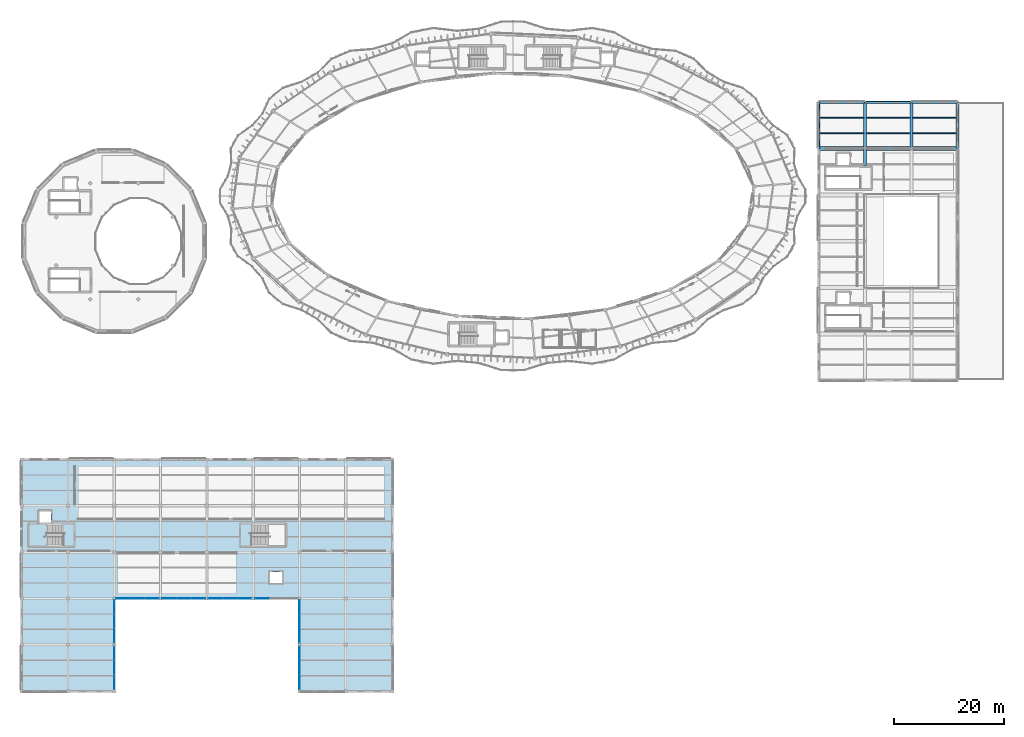
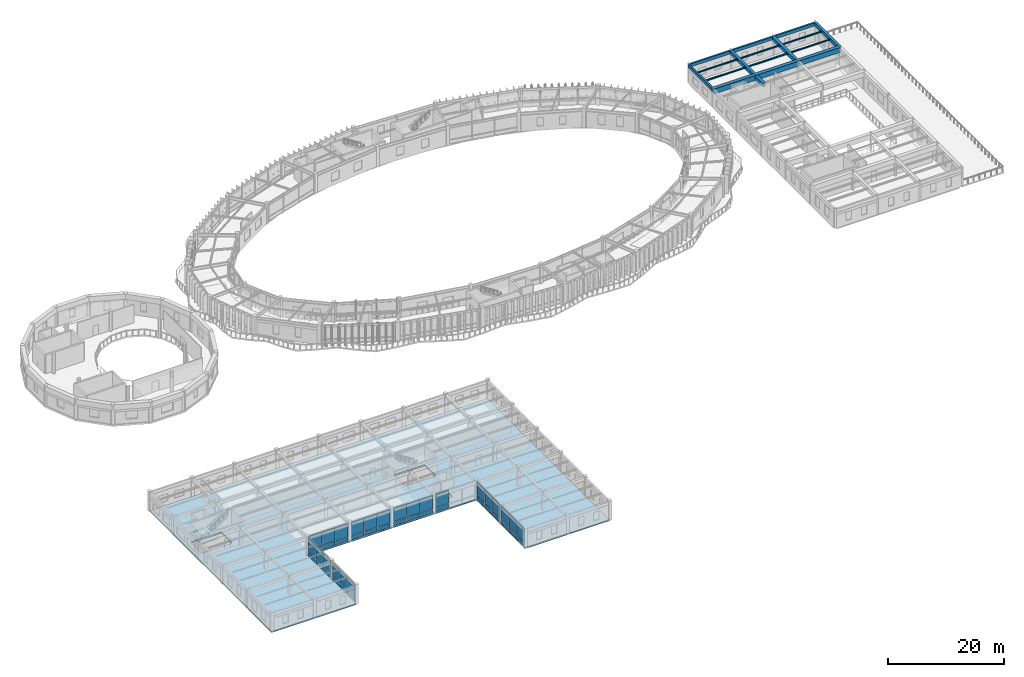
# One storey, part 83 of 114: 44 plates, 17 beams, 2 slabs, 9 elements without a shape of their own.
"""IFC4 building model written with IfcOpenShell, lengths in metres."""

from ifc_helpers import new_model, si_unit, direction, frame, origin, origin_2d, place, context, subcontext, project, spatial, polyline, rectangle, i_section, outline, extrude, material, layer, layer_set, material_profile, profile_set, type_object, element, aggregate, save


model = new_model("IFC4")

# Units and contexts
model_context = context("Model", 3, precision=1e-05, world=origin(), true_north=direction((0.0, 1.0)))
body_context = subcontext(model_context, "Body", "Model", "MODEL_VIEW")
ifc_project = project(units=[si_unit("LENGTHUNIT", "METRE"), si_unit("AREAUNIT", "SQUARE_METRE"), si_unit("VOLUMEUNIT", "CUBIC_METRE"), si_unit("PLANEANGLEUNIT", "RADIAN"), si_unit("MASSUNIT", "GRAM", prefix="KILO"), si_unit("THERMODYNAMICTEMPERATUREUNIT", "KELVIN"), si_unit("POWERUNIT", "WATT")], contexts=[model_context])

# Site, building, storey
site_placement = place(None, origin())
site = spatial("IfcSite", under=ifc_project, at=site_placement, CompositionType="ELEMENT")
building_placement = place(site_placement, origin())
building = spatial("IfcBuilding", under=site, at=building_placement, Name="Darbajah Civic Hall", CompositionType="ELEMENT")
storey_placement = place(building_placement, frame((0.0, 0.0, 13.800048828125)))
storey = spatial("IfcBuildingStorey", under=building, at=storey_placement, Name="L03", CompositionType="ELEMENT", Elevation=13.800048828125)

# Beams
ifc_material_1 = material(Name="Concrete C45/55", Category="concrete")
ifc_material_profile_1 = material_profile(ifc_material_1, rectangle(XDim=0.550048828125, YDim=0.75, at=origin_2d()), Name="RC BEAM 550x750")
ifc_profile_set_1 = profile_set([ifc_material_profile_1], Name="Concrete C45/55")
beam_type_1 = type_object("IfcBeamType", Name="RC BEAM 550x750", PredefinedType="BEAM", material=ifc_profile_set_1)
beam_placement = place(storey_placement, frame((153.0, 95.340087890625, 3.554931640625), z_axis=(0.0, 1.0, 0.0), x_axis=(-1.0, 0.0, 0.0)))
element("IfcBeam", 1, at=beam_placement, inside=storey, type_object=beam_type_1, Name="L03 beam BM-5575", PredefinedType="BEAM", context=body_context, shape_type="SweptSolid", body=[
    extrude(rectangle(XDim=0.550048828125, YDim=0.75, at=origin_2d()), origin(), (0.0, 0.0, 1.0), 2.97998046875),
])
for number, where, z_axis, x_axis, name in (
    (2, (153.0, 98.47998046875, 3.554931640625), (0.0, 1.0, 0.0), (-1.0, 0.0, 0.0), "L03 beam BM-5575"),
    (3, (161.39990234375, 98.47998046875, 3.554931640625), (0.0, 1.0, 0.0), (-1.0, 0.0, 0.0), "L03 beam BM-5575"),
    (4, (169.800048828125, 98.47998046875, 3.554931640625), (0.0, 1.0, 0.0), (-1.0, 0.0, 0.0), "L03 beam BM-5575"),
):
    element("IfcBeam", number, at=place(storey_placement, frame(where, z_axis=z_axis, x_axis=x_axis)), inside=storey, type_object=beam_type_1, Name=name, PredefinedType="BEAM", context=body_context, shape_type="SweptSolid", body=[
        extrude(rectangle(XDim=0.550048828125, YDim=0.75, at=origin_2d()), origin(), (0.0, 0.0, 1.0), 8.239990234375),
    ])
ifc_material_2 = material(Name="Concrete C50/60", Category="concrete")
ifc_material_profile_2 = material_profile(ifc_material_2, rectangle(XDim=0.699951171875, YDim=1.050048828125, at=origin_2d()), Name="RC GIRDER 700x1050")
ifc_profile_set_2 = profile_set([ifc_material_profile_2], Name="Concrete C50/60")
beam_type_2 = type_object("IfcBeamType", Name="RC GIRDER 700x1050", PredefinedType="BEAM", material=ifc_profile_set_2)
for number, where, z_axis, x_axis, name in (
    (5, (144.679931640625, 98.39990234375, 3.405029296875), (1.0, 0.0, 0.0), (0.0, 1.0, 0.0), "L03 beam BG-7010"),
    (6, (153.080078125, 98.39990234375, 3.405029296875), (1.0, 0.0, 0.0), (0.0, 1.0, 0.0), "L03 beam BG-7010"),
    (7, (161.47998046875, 98.39990234375, 3.405029296875), (1.0, 0.0, 0.0), (0.0, 1.0, 0.0), "L03 beam BG-7010"),
):
    element("IfcBeam", number, at=place(storey_placement, frame(where, z_axis=z_axis, x_axis=x_axis)), inside=storey, type_object=beam_type_2, Name=name, PredefinedType="BEAM", context=body_context, shape_type="SweptSolid", body=[
        extrude(rectangle(XDim=0.699951171875, YDim=1.050048828125, at=origin_2d()), origin(), (0.0, 0.0, 1.0), 8.239990234375),
    ])
ifc_material_profile_3 = material_profile(ifc_material_1, rectangle(XDim=0.35009765625, YDim=0.64990234375, at=origin_2d()), Name="RC SPANDREL 350x650")
ifc_profile_set_3 = profile_set([ifc_material_profile_3], Name="Concrete C45/55")
beam_type_3 = type_object("IfcBeamType", Name="RC SPANDREL 350x650", PredefinedType="SPANDREL", material=ifc_profile_set_3)
for number, where, z_axis, x_axis, name in (
    (8, (144.679931640625, 106.800048828125, 3.60498046875), (1.0, 0.0, 0.0), (0.0, 1.0, 0.0), "L03 beam SP-3565"),
    (9, (153.080078125, 106.800048828125, 3.60498046875), (1.0, 0.0, 0.0), (0.0, 1.0, 0.0), "L03 beam SP-3565"),
    (10, (161.47998046875, 106.800048828125, 3.60498046875), (1.0, 0.0, 0.0), (0.0, 1.0, 0.0), "L03 beam SP-3565"),
    (11, (144.60009765625, 98.47998046875, 3.60498046875), (0.0, 1.0, 0.0), (-1.0, 0.0, 0.0), "L03 beam SP-3565"),
):
    element("IfcBeam", number, at=place(storey_placement, frame(where, z_axis=z_axis, x_axis=x_axis)), inside=storey, type_object=beam_type_3, Name=name, PredefinedType="SPANDREL", context=body_context, shape_type="SweptSolid", body=[
        extrude(rectangle(XDim=0.35009765625, YDim=0.64990234375, at=origin_2d()), origin(), (0.0, 0.0, 1.0), 8.239990234375),
    ])
ifc_material_3 = material(Name="Steel S355JR", Category="steel")
ifc_material_profile_4 = material_profile(ifc_material_3, i_section(OverallWidth=0.165771484375, OverallDepth=0.306640625, WebThickness=0.006591796875, FlangeThickness=0.01171875, FilletRadius=0.0087890625, at=origin_2d()), Name="UB 305x165x46")
ifc_profile_set_4 = profile_set([ifc_material_profile_4], Name="Steel S355JR")
beam_type_4 = type_object("IfcBeamType", Name="UB 305x165x46", PredefinedType="JOIST", material=ifc_profile_set_4)
for number, where, z_axis, x_axis, name in (
    (12, (144.77490234375, 101.199951171875, 3.776611328125), (1.0, 0.0, 0.0), (0.0, 1.0, 0.0), "L03 beam SJ-305"),
    (13, (144.77490234375, 104.0, 3.776611328125), (1.0, 0.0, 0.0), (0.0, 1.0, 0.0), "L03 beam SJ-305"),
):
    element("IfcBeam", number, at=place(storey_placement, frame(where, z_axis=z_axis, x_axis=x_axis)), inside=storey, type_object=beam_type_4, Name=name, PredefinedType="JOIST", context=body_context, shape_type="SweptSolid", body=[
        extrude(i_section(OverallWidth=0.165771484375, OverallDepth=0.306640625, WebThickness=0.006591796875, FlangeThickness=0.01171875, FilletRadius=0.0087890625, at=origin_2d()), origin(), (0.0, 0.0, 1.0), 7.9501953125),
    ])
for number, where, z_axis, x_axis, name in (
    (14, (153.27490234375, 101.199951171875, 3.776611328125), (1.0, 0.0, 0.0), (0.0, 1.0, 0.0), "L03 beam SJ-305"),
    (15, (153.27490234375, 104.0, 3.776611328125), (1.0, 0.0, 0.0), (0.0, 1.0, 0.0), "L03 beam SJ-305"),
):
    element("IfcBeam", number, at=place(storey_placement, frame(where, z_axis=z_axis, x_axis=x_axis)), inside=storey, type_object=beam_type_4, Name=name, PredefinedType="JOIST", context=body_context, shape_type="SweptSolid", body=[
        extrude(i_section(OverallWidth=0.165771484375, OverallDepth=0.306640625, WebThickness=0.006591796875, FlangeThickness=0.01171875, FilletRadius=0.0087890625, at=origin_2d()), origin(), (0.0, 0.0, 1.0), 7.85009765625),
    ])
for number, where, z_axis, x_axis, name in (
    (16, (161.675048828125, 101.199951171875, 3.776611328125), (1.0, 0.0, 0.0), (0.0, 1.0, 0.0), "L03 beam SJ-305"),
    (17, (161.675048828125, 104.0, 3.776611328125), (1.0, 0.0, 0.0), (0.0, 1.0, 0.0), "L03 beam SJ-305"),
):
    element("IfcBeam", number, at=place(storey_placement, frame(where, z_axis=z_axis, x_axis=x_axis)), inside=storey, type_object=beam_type_4, Name=name, PredefinedType="JOIST", context=body_context, shape_type="SweptSolid", body=[
        extrude(i_section(OverallWidth=0.165771484375, OverallDepth=0.306640625, WebThickness=0.006591796875, FlangeThickness=0.01171875, FilletRadius=0.0087890625, at=origin_2d()), origin(), (0.0, 0.0, 1.0), 7.849853515625),
    ])

# Curtain wall, plates
ifc_material_4 = material(Name="Anodised Bronze Aluminium and Low-E Glazing", Category="aluminium")
curtain_wall_type = type_object("IfcCurtainWallType", Name="Unitised Curtain Wall CW-100 7800x3950", PredefinedType="USERDEFINED", material=ifc_material_4)
curtain_wall_1_placement = place(storey_placement, origin())
curtain_wall_1 = element("IfcCurtainWall", 18, at=curtain_wall_1_placement, inside=storey, type_object=curtain_wall_type, Name="L03 unitised curtain wall CW-V5-L03-S1-B0", ObjectType="UNITISED CURTAIN WALL", PredefinedType="USERDEFINED")
ifc_material_5 = material(Name="Low-E Solar Control Double Glazing", Category="glass")
ifc_layer_1 = layer(ifc_material_5, 0.031982421875, Name="Low-E Solar Control Double Glazing")
ifc_layer_set_1 = layer_set([ifc_layer_1], Name="Low-E Solar Control Double Glazing")
plate_type = type_object("IfcPlateType", Name="Solar Double Glazing 32mm", PredefinedType="CURTAIN_PANEL", material=ifc_layer_set_1)
plate_1_placement = place(storey_placement, frame((16.800048828125, 1.601318359375, 0.119873046875), z_axis=(0.0, 0.0, 1.0), x_axis=(0.0, 1.0, 0.0)))
plate_1 = element("IfcPlate", 19, at=plate_1_placement, type_object=plate_type, Name="CW-V5-L03-S1-B0 glazed panel 1.1", PredefinedType="CURTAIN_PANEL", context=body_context, shape_type="SweptSolid", body=[
    extrude(rectangle(XDim=2.52880859375, YDim=0.031982421875, at=origin_2d()), origin(), (0.0, 0.0, 1.0), 0.77001953125),
])
plate_2_placement = place(storey_placement, frame((16.800048828125, 1.601318359375, 1.010009765625), z_axis=(0.0, 0.0, 1.0), x_axis=(0.0, 1.0, 0.0)))
plate_2 = element("IfcPlate", 20, at=plate_2_placement, type_object=plate_type, Name="CW-V5-L03-S1-B0 glazed panel 1.2", PredefinedType="CURTAIN_PANEL", context=body_context, shape_type="SweptSolid", body=[
    extrude(rectangle(XDim=2.52880859375, YDim=0.031982421875, at=origin_2d()), origin(), (0.0, 0.0, 1.0), 2.81005859375),
])
plate_3_placement = place(storey_placement, frame((16.800048828125, 4.199951171875, 0.119873046875), z_axis=(0.0, 0.0, 1.0), x_axis=(0.0, 1.0, 0.0)))
plate_3 = element("IfcPlate", 21, at=plate_3_placement, type_object=plate_type, Name="CW-V5-L03-S1-B0 glazed panel 2.1", PredefinedType="CURTAIN_PANEL", context=body_context, shape_type="SweptSolid", body=[
    extrude(rectangle(XDim=2.52880859375, YDim=0.031982421875, at=origin_2d()), origin(), (0.0, 0.0, 1.0), 0.77001953125),
])
plate_4_placement = place(storey_placement, frame((16.800048828125, 4.199951171875, 1.010009765625), z_axis=(0.0, 0.0, 1.0), x_axis=(0.0, 1.0, 0.0)))
plate_4 = element("IfcPlate", 22, at=plate_4_placement, type_object=plate_type, Name="CW-V5-L03-S1-B0 glazed panel 2.2", PredefinedType="CURTAIN_PANEL", context=body_context, shape_type="SweptSolid", body=[
    extrude(rectangle(XDim=2.52880859375, YDim=0.031982421875, at=origin_2d()), origin(), (0.0, 0.0, 1.0), 2.81005859375),
])
plate_5_placement = place(storey_placement, frame((16.800048828125, 6.798583984375, 0.119873046875), z_axis=(0.0, 0.0, 1.0), x_axis=(0.0, 1.0, 0.0)))
plate_5 = element("IfcPlate", 23, at=plate_5_placement, type_object=plate_type, Name="CW-V5-L03-S1-B0 glazed panel 3.1", PredefinedType="CURTAIN_PANEL", context=body_context, shape_type="SweptSolid", body=[
    extrude(rectangle(XDim=2.52880859375, YDim=0.031982421875, at=origin_2d()), origin(), (0.0, 0.0, 1.0), 0.77001953125),
])
plate_6_placement = place(storey_placement, frame((16.800048828125, 6.798583984375, 1.010009765625), z_axis=(0.0, 0.0, 1.0), x_axis=(0.0, 1.0, 0.0)))
plate_6 = element("IfcPlate", 24, at=plate_6_placement, type_object=plate_type, Name="CW-V5-L03-S1-B0 glazed panel 3.2", PredefinedType="CURTAIN_PANEL", context=body_context, shape_type="SweptSolid", body=[
    extrude(rectangle(XDim=2.52880859375, YDim=0.031982421875, at=origin_2d()), origin(), (0.0, 0.0, 1.0), 2.81005859375),
])
aggregate(curtain_wall_1, [plate_1, plate_2, plate_3, plate_4, plate_5, plate_6])

curtain_wall_2_placement = place(storey_placement, origin())
curtain_wall_2 = element("IfcCurtainWall", 25, at=curtain_wall_2_placement, inside=storey, type_object=curtain_wall_type, Name="L03 unitised curtain wall CW-V5-L03-S1-B1", ObjectType="UNITISED CURTAIN WALL", PredefinedType="USERDEFINED")
plate_7_placement = place(storey_placement, frame((16.800048828125, 10.00146484375, 0.119873046875), z_axis=(0.0, 0.0, 1.0), x_axis=(0.0, 1.0, 0.0)))
plate_7 = element("IfcPlate", 26, at=plate_7_placement, type_object=plate_type, Name="CW-V5-L03-S1-B1 glazed panel 1.1", PredefinedType="CURTAIN_PANEL", context=body_context, shape_type="SweptSolid", body=[
    extrude(rectangle(XDim=2.52880859375, YDim=0.031982421875, at=origin_2d()), origin(), (0.0, 0.0, 1.0), 0.77001953125),
])
plate_8_placement = place(storey_placement, frame((16.800048828125, 10.00146484375, 1.010009765625), z_axis=(0.0, 0.0, 1.0), x_axis=(0.0, 1.0, 0.0)))
plate_8 = element("IfcPlate", 27, at=plate_8_placement, type_object=plate_type, Name="CW-V5-L03-S1-B1 glazed panel 1.2", PredefinedType="CURTAIN_PANEL", context=body_context, shape_type="SweptSolid", body=[
    extrude(rectangle(XDim=2.52880859375, YDim=0.031982421875, at=origin_2d()), origin(), (0.0, 0.0, 1.0), 2.81005859375),
])
plate_9_placement = place(storey_placement, frame((16.800048828125, 12.60009765625, 0.119873046875), z_axis=(0.0, 0.0, 1.0), x_axis=(0.0, 1.0, 0.0)))
plate_9 = element("IfcPlate", 28, at=plate_9_placement, type_object=plate_type, Name="CW-V5-L03-S1-B1 glazed panel 2.1", PredefinedType="CURTAIN_PANEL", context=body_context, shape_type="SweptSolid", body=[
    extrude(rectangle(XDim=2.52880859375, YDim=0.031982421875, at=origin_2d()), origin(), (0.0, 0.0, 1.0), 0.77001953125),
])
plate_10_placement = place(storey_placement, frame((16.800048828125, 12.60009765625, 1.010009765625), z_axis=(0.0, 0.0, 1.0), x_axis=(0.0, 1.0, 0.0)))
plate_10 = element("IfcPlate", 29, at=plate_10_placement, type_object=plate_type, Name="CW-V5-L03-S1-B1 glazed panel 2.2", PredefinedType="CURTAIN_PANEL", context=body_context, shape_type="SweptSolid", body=[
    extrude(rectangle(XDim=2.52880859375, YDim=0.031982421875, at=origin_2d()), origin(), (0.0, 0.0, 1.0), 2.81005859375),
])
plate_11_placement = place(storey_placement, frame((16.800048828125, 15.19873046875, 0.119873046875), z_axis=(0.0, 0.0, 1.0), x_axis=(0.0, 1.0, 0.0)))
plate_11 = element("IfcPlate", 30, at=plate_11_placement, type_object=plate_type, Name="CW-V5-L03-S1-B1 glazed panel 3.1", PredefinedType="CURTAIN_PANEL", context=body_context, shape_type="SweptSolid", body=[
    extrude(rectangle(XDim=2.52880859375, YDim=0.031982421875, at=origin_2d()), origin(), (0.0, 0.0, 1.0), 0.77001953125),
])
plate_12_placement = place(storey_placement, frame((16.800048828125, 15.19873046875, 1.010009765625), z_axis=(0.0, 0.0, 1.0), x_axis=(0.0, 1.0, 0.0)))
plate_12 = element("IfcPlate", 31, at=plate_12_placement, type_object=plate_type, Name="CW-V5-L03-S1-B1 glazed panel 3.2", PredefinedType="CURTAIN_PANEL", context=body_context, shape_type="SweptSolid", body=[
    extrude(rectangle(XDim=2.52880859375, YDim=0.031982421875, at=origin_2d()), origin(), (0.0, 0.0, 1.0), 2.81005859375),
])
aggregate(curtain_wall_2, [plate_7, plate_8, plate_9, plate_10, plate_11, plate_12])

curtain_wall_3_placement = place(storey_placement, origin())
curtain_wall_3 = element("IfcCurtainWall", 32, at=curtain_wall_3_placement, inside=storey, type_object=curtain_wall_type, Name="L03 unitised curtain wall CW-V5-L03-S2-B0", ObjectType="UNITISED CURTAIN WALL", PredefinedType="USERDEFINED")
plate_13_placement = place(storey_placement, frame((18.4013671875, 16.800048828125, 0.119873046875), z_axis=(0.0, 0.0, 1.0), x_axis=(1.0, 0.0, 0.0)))
plate_13 = element("IfcPlate", 33, at=plate_13_placement, type_object=plate_type, Name="CW-V5-L03-S2-B0 glazed panel 1.1", PredefinedType="CURTAIN_PANEL", context=body_context, shape_type="SweptSolid", body=[
    extrude(rectangle(XDim=2.52880859375, YDim=0.031982421875, at=origin_2d()), origin(), (0.0, 0.0, 1.0), 0.77001953125),
])
plate_14_placement = place(storey_placement, frame((18.4013671875, 16.800048828125, 1.010009765625), z_axis=(0.0, 0.0, 1.0), x_axis=(1.0, 0.0, 0.0)))
plate_14 = element("IfcPlate", 34, at=plate_14_placement, type_object=plate_type, Name="CW-V5-L03-S2-B0 glazed panel 1.2", PredefinedType="CURTAIN_PANEL", context=body_context, shape_type="SweptSolid", body=[
    extrude(rectangle(XDim=2.52880859375, YDim=0.031982421875, at=origin_2d()), origin(), (0.0, 0.0, 1.0), 2.81005859375),
])
plate_15_placement = place(storey_placement, frame((21.0, 16.800048828125, 0.119873046875), z_axis=(0.0, 0.0, 1.0), x_axis=(1.0, 0.0, 0.0)))
plate_15 = element("IfcPlate", 35, at=plate_15_placement, type_object=plate_type, Name="CW-V5-L03-S2-B0 glazed panel 2.1", PredefinedType="CURTAIN_PANEL", context=body_context, shape_type="SweptSolid", body=[
    extrude(rectangle(XDim=2.52880859375, YDim=0.031982421875, at=origin_2d()), origin(), (0.0, 0.0, 1.0), 0.77001953125),
])
plate_16_placement = place(storey_placement, frame((21.0, 16.800048828125, 1.010009765625), z_axis=(0.0, 0.0, 1.0), x_axis=(1.0, 0.0, 0.0)))
plate_16 = element("IfcPlate", 36, at=plate_16_placement, type_object=plate_type, Name="CW-V5-L03-S2-B0 glazed panel 2.2", PredefinedType="CURTAIN_PANEL", context=body_context, shape_type="SweptSolid", body=[
    extrude(rectangle(XDim=2.52880859375, YDim=0.031982421875, at=origin_2d()), origin(), (0.0, 0.0, 1.0), 2.81005859375),
])
plate_17_placement = place(storey_placement, frame((23.5986328125, 16.800048828125, 0.119873046875), z_axis=(0.0, 0.0, 1.0), x_axis=(1.0, 0.0, 0.0)))
plate_17 = element("IfcPlate", 37, at=plate_17_placement, type_object=plate_type, Name="CW-V5-L03-S2-B0 glazed panel 3.1", PredefinedType="CURTAIN_PANEL", context=body_context, shape_type="SweptSolid", body=[
    extrude(rectangle(XDim=2.52880859375, YDim=0.031982421875, at=origin_2d()), origin(), (0.0, 0.0, 1.0), 0.77001953125),
])
plate_18_placement = place(storey_placement, frame((23.5986328125, 16.800048828125, 1.010009765625), z_axis=(0.0, 0.0, 1.0), x_axis=(1.0, 0.0, 0.0)))
plate_18 = element("IfcPlate", 38, at=plate_18_placement, type_object=plate_type, Name="CW-V5-L03-S2-B0 glazed panel 3.2", PredefinedType="CURTAIN_PANEL", context=body_context, shape_type="SweptSolid", body=[
    extrude(rectangle(XDim=2.52880859375, YDim=0.031982421875, at=origin_2d()), origin(), (0.0, 0.0, 1.0), 2.81005859375),
])
aggregate(curtain_wall_3, [plate_13, plate_14, plate_15, plate_16, plate_17, plate_18])

curtain_wall_4_placement = place(storey_placement, origin())
curtain_wall_4 = element("IfcCurtainWall", 39, at=curtain_wall_4_placement, inside=storey, type_object=curtain_wall_type, Name="L03 unitised curtain wall CW-V5-L03-S2-B1", ObjectType="UNITISED CURTAIN WALL", PredefinedType="USERDEFINED")
plate_19_placement = place(storey_placement, frame((26.80126953125, 16.800048828125, 0.119873046875), z_axis=(0.0, 0.0, 1.0), x_axis=(1.0, 0.0, 0.0)))
plate_19 = element("IfcPlate", 40, at=plate_19_placement, type_object=plate_type, Name="CW-V5-L03-S2-B1 glazed panel 1.1", PredefinedType="CURTAIN_PANEL", context=body_context, shape_type="SweptSolid", body=[
    extrude(rectangle(XDim=2.52880859375, YDim=0.031982421875, at=origin_2d()), origin(), (0.0, 0.0, 1.0), 0.77001953125),
])
plate_20_placement = place(storey_placement, frame((26.80126953125, 16.800048828125, 1.010009765625), z_axis=(0.0, 0.0, 1.0), x_axis=(1.0, 0.0, 0.0)))
plate_20 = element("IfcPlate", 41, at=plate_20_placement, type_object=plate_type, Name="CW-V5-L03-S2-B1 glazed panel 1.2", PredefinedType="CURTAIN_PANEL", context=body_context, shape_type="SweptSolid", body=[
    extrude(rectangle(XDim=2.52880859375, YDim=0.031982421875, at=origin_2d()), origin(), (0.0, 0.0, 1.0), 2.81005859375),
])
plate_21_placement = place(storey_placement, frame((29.39990234375, 16.800048828125, 0.119873046875), z_axis=(0.0, 0.0, 1.0), x_axis=(1.0, 0.0, 0.0)))
plate_21 = element("IfcPlate", 42, at=plate_21_placement, type_object=plate_type, Name="CW-V5-L03-S2-B1 glazed panel 2.1", PredefinedType="CURTAIN_PANEL", context=body_context, shape_type="SweptSolid", body=[
    extrude(rectangle(XDim=2.52880859375, YDim=0.031982421875, at=origin_2d()), origin(), (0.0, 0.0, 1.0), 0.77001953125),
])
plate_22_placement = place(storey_placement, frame((29.39990234375, 16.800048828125, 1.010009765625), z_axis=(0.0, 0.0, 1.0), x_axis=(1.0, 0.0, 0.0)))
plate_22 = element("IfcPlate", 43, at=plate_22_placement, type_object=plate_type, Name="CW-V5-L03-S2-B1 glazed panel 2.2", PredefinedType="CURTAIN_PANEL", context=body_context, shape_type="SweptSolid", body=[
    extrude(rectangle(XDim=2.52880859375, YDim=0.031982421875, at=origin_2d()), origin(), (0.0, 0.0, 1.0), 2.81005859375),
])
plate_23_placement = place(storey_placement, frame((31.99853515625, 16.800048828125, 0.119873046875), z_axis=(0.0, 0.0, 1.0), x_axis=(1.0, 0.0, 0.0)))
plate_23 = element("IfcPlate", 44, at=plate_23_placement, type_object=plate_type, Name="CW-V5-L03-S2-B1 glazed panel 3.1", PredefinedType="CURTAIN_PANEL", context=body_context, shape_type="SweptSolid", body=[
    extrude(rectangle(XDim=2.52880859375, YDim=0.031982421875, at=origin_2d()), origin(), (0.0, 0.0, 1.0), 0.77001953125),
])
plate_24_placement = place(storey_placement, frame((31.99853515625, 16.800048828125, 1.010009765625), z_axis=(0.0, 0.0, 1.0), x_axis=(1.0, 0.0, 0.0)))
plate_24 = element("IfcPlate", 45, at=plate_24_placement, type_object=plate_type, Name="CW-V5-L03-S2-B1 glazed panel 3.2", PredefinedType="CURTAIN_PANEL", context=body_context, shape_type="SweptSolid", body=[
    extrude(rectangle(XDim=2.52880859375, YDim=0.031982421875, at=origin_2d()), origin(), (0.0, 0.0, 1.0), 2.81005859375),
])
aggregate(curtain_wall_4, [plate_19, plate_20, plate_21, plate_22, plate_23, plate_24])

curtain_wall_5_placement = place(storey_placement, origin())
curtain_wall_5 = element("IfcCurtainWall", 46, at=curtain_wall_5_placement, inside=storey, type_object=curtain_wall_type, Name="L03 unitised curtain wall CW-V5-L03-S2-B2", ObjectType="UNITISED CURTAIN WALL", PredefinedType="USERDEFINED")
plate_25_placement = place(storey_placement, frame((35.201416015625, 16.800048828125, 0.119873046875), z_axis=(0.0, 0.0, 1.0), x_axis=(1.0, 0.0, 0.0)))
plate_25 = element("IfcPlate", 47, at=plate_25_placement, type_object=plate_type, Name="CW-V5-L03-S2-B2 glazed panel 1.1", PredefinedType="CURTAIN_PANEL", context=body_context, shape_type="SweptSolid", body=[
    extrude(rectangle(XDim=2.52880859375, YDim=0.031982421875, at=origin_2d()), origin(), (0.0, 0.0, 1.0), 0.77001953125),
])
plate_26_placement = place(storey_placement, frame((35.201416015625, 16.800048828125, 1.010009765625), z_axis=(0.0, 0.0, 1.0), x_axis=(1.0, 0.0, 0.0)))
plate_26 = element("IfcPlate", 48, at=plate_26_placement, type_object=plate_type, Name="CW-V5-L03-S2-B2 glazed panel 1.2", PredefinedType="CURTAIN_PANEL", context=body_context, shape_type="SweptSolid", body=[
    extrude(rectangle(XDim=2.52880859375, YDim=0.031982421875, at=origin_2d()), origin(), (0.0, 0.0, 1.0), 2.81005859375),
])
plate_27_placement = place(storey_placement, frame((37.800048828125, 16.800048828125, 0.119873046875), z_axis=(0.0, 0.0, 1.0), x_axis=(1.0, 0.0, 0.0)))
plate_27 = element("IfcPlate", 49, at=plate_27_placement, type_object=plate_type, Name="CW-V5-L03-S2-B2 glazed panel 2.1", PredefinedType="CURTAIN_PANEL", context=body_context, shape_type="SweptSolid", body=[
    extrude(rectangle(XDim=2.52880859375, YDim=0.031982421875, at=origin_2d()), origin(), (0.0, 0.0, 1.0), 0.77001953125),
])
plate_28_placement = place(storey_placement, frame((37.800048828125, 16.800048828125, 1.010009765625), z_axis=(0.0, 0.0, 1.0), x_axis=(1.0, 0.0, 0.0)))
plate_28 = element("IfcPlate", 50, at=plate_28_placement, type_object=plate_type, Name="CW-V5-L03-S2-B2 glazed panel 2.2", PredefinedType="CURTAIN_PANEL", context=body_context, shape_type="SweptSolid", body=[
    extrude(rectangle(XDim=2.52880859375, YDim=0.031982421875, at=origin_2d()), origin(), (0.0, 0.0, 1.0), 2.81005859375),
])
plate_29_placement = place(storey_placement, frame((40.398681640625, 16.800048828125, 0.119873046875), z_axis=(0.0, 0.0, 1.0), x_axis=(1.0, 0.0, 0.0)))
plate_29 = element("IfcPlate", 51, at=plate_29_placement, type_object=plate_type, Name="CW-V5-L03-S2-B2 glazed panel 3.1", PredefinedType="CURTAIN_PANEL", context=body_context, shape_type="SweptSolid", body=[
    extrude(rectangle(XDim=2.52880859375, YDim=0.031982421875, at=origin_2d()), origin(), (0.0, 0.0, 1.0), 0.77001953125),
])
plate_30_placement = place(storey_placement, frame((40.398681640625, 16.800048828125, 1.010009765625), z_axis=(0.0, 0.0, 1.0), x_axis=(1.0, 0.0, 0.0)))
plate_30 = element("IfcPlate", 52, at=plate_30_placement, type_object=plate_type, Name="CW-V5-L03-S2-B2 glazed panel 3.2", PredefinedType="CURTAIN_PANEL", context=body_context, shape_type="SweptSolid", body=[
    extrude(rectangle(XDim=2.52880859375, YDim=0.031982421875, at=origin_2d()), origin(), (0.0, 0.0, 1.0), 2.81005859375),
])
aggregate(curtain_wall_5, [plate_25, plate_26, plate_27, plate_28, plate_29, plate_30])

curtain_wall_6_placement = place(storey_placement, origin())
curtain_wall_6 = element("IfcCurtainWall", 53, at=curtain_wall_6_placement, inside=storey, type_object=curtain_wall_type, Name="L03 unitised curtain wall CW-V5-L03-S2-B3", ObjectType="UNITISED CURTAIN WALL", PredefinedType="USERDEFINED")
plate_31_placement = place(storey_placement, frame((43.601318359375, 16.800048828125, 0.119873046875), z_axis=(0.0, 0.0, 1.0), x_axis=(1.0, 0.0, 0.0)))
plate_31 = element("IfcPlate", 54, at=plate_31_placement, type_object=plate_type, Name="CW-V5-L03-S2-B3 glazed panel 1.1", PredefinedType="CURTAIN_PANEL", context=body_context, shape_type="SweptSolid", body=[
    extrude(rectangle(XDim=2.52880859375, YDim=0.031982421875, at=origin_2d()), origin(), (0.0, 0.0, 1.0), 0.77001953125),
])
plate_32_placement = place(storey_placement, frame((43.601318359375, 16.800048828125, 1.010009765625), z_axis=(0.0, 0.0, 1.0), x_axis=(1.0, 0.0, 0.0)))
plate_32 = element("IfcPlate", 55, at=plate_32_placement, type_object=plate_type, Name="CW-V5-L03-S2-B3 glazed panel 1.2", PredefinedType="CURTAIN_PANEL", context=body_context, shape_type="SweptSolid", body=[
    extrude(rectangle(XDim=2.52880859375, YDim=0.031982421875, at=origin_2d()), origin(), (0.0, 0.0, 1.0), 2.81005859375),
])
aggregate(curtain_wall_6, [plate_31, plate_32])

curtain_wall_7_placement = place(storey_placement, origin())
curtain_wall_7 = element("IfcCurtainWall", 56, at=curtain_wall_7_placement, inside=storey, type_object=curtain_wall_type, Name="L03 unitised curtain wall CW-V5-L03-S3-B0", ObjectType="UNITISED CURTAIN WALL", PredefinedType="USERDEFINED")
plate_33_placement = place(storey_placement, frame((50.39990234375, 15.19873046875, 0.119873046875), z_axis=(0.0, 0.0, 1.0), x_axis=(0.0, -1.0, 0.0)))
plate_33 = element("IfcPlate", 57, at=plate_33_placement, type_object=plate_type, Name="CW-V5-L03-S3-B0 glazed panel 1.1", PredefinedType="CURTAIN_PANEL", context=body_context, shape_type="SweptSolid", body=[
    extrude(rectangle(XDim=2.52880859375, YDim=0.031982421875, at=origin_2d()), origin(), (0.0, 0.0, 1.0), 0.77001953125),
])
plate_34_placement = place(storey_placement, frame((50.39990234375, 15.19873046875, 1.010009765625), z_axis=(0.0, 0.0, 1.0), x_axis=(0.0, -1.0, 0.0)))
plate_34 = element("IfcPlate", 58, at=plate_34_placement, type_object=plate_type, Name="CW-V5-L03-S3-B0 glazed panel 1.2", PredefinedType="CURTAIN_PANEL", context=body_context, shape_type="SweptSolid", body=[
    extrude(rectangle(XDim=2.52880859375, YDim=0.031982421875, at=origin_2d()), origin(), (0.0, 0.0, 1.0), 2.81005859375),
])
plate_35_placement = place(storey_placement, frame((50.39990234375, 12.60009765625, 0.119873046875), z_axis=(0.0, 0.0, 1.0), x_axis=(0.0, -1.0, 0.0)))
plate_35 = element("IfcPlate", 59, at=plate_35_placement, type_object=plate_type, Name="CW-V5-L03-S3-B0 glazed panel 2.1", PredefinedType="CURTAIN_PANEL", context=body_context, shape_type="SweptSolid", body=[
    extrude(rectangle(XDim=2.52880859375, YDim=0.031982421875, at=origin_2d()), origin(), (0.0, 0.0, 1.0), 0.77001953125),
])
plate_36_placement = place(storey_placement, frame((50.39990234375, 12.60009765625, 1.010009765625), z_axis=(0.0, 0.0, 1.0), x_axis=(0.0, -1.0, 0.0)))
plate_36 = element("IfcPlate", 60, at=plate_36_placement, type_object=plate_type, Name="CW-V5-L03-S3-B0 glazed panel 2.2", PredefinedType="CURTAIN_PANEL", context=body_context, shape_type="SweptSolid", body=[
    extrude(rectangle(XDim=2.52880859375, YDim=0.031982421875, at=origin_2d()), origin(), (0.0, 0.0, 1.0), 2.81005859375),
])
plate_37_placement = place(storey_placement, frame((50.39990234375, 10.00146484375, 0.119873046875), z_axis=(0.0, 0.0, 1.0), x_axis=(0.0, -1.0, 0.0)))
plate_37 = element("IfcPlate", 61, at=plate_37_placement, type_object=plate_type, Name="CW-V5-L03-S3-B0 glazed panel 3.1", PredefinedType="CURTAIN_PANEL", context=body_context, shape_type="SweptSolid", body=[
    extrude(rectangle(XDim=2.52880859375, YDim=0.031982421875, at=origin_2d()), origin(), (0.0, 0.0, 1.0), 0.77001953125),
])
plate_38_placement = place(storey_placement, frame((50.39990234375, 10.00146484375, 1.010009765625), z_axis=(0.0, 0.0, 1.0), x_axis=(0.0, -1.0, 0.0)))
plate_38 = element("IfcPlate", 62, at=plate_38_placement, type_object=plate_type, Name="CW-V5-L03-S3-B0 glazed panel 3.2", PredefinedType="CURTAIN_PANEL", context=body_context, shape_type="SweptSolid", body=[
    extrude(rectangle(XDim=2.52880859375, YDim=0.031982421875, at=origin_2d()), origin(), (0.0, 0.0, 1.0), 2.81005859375),
])
aggregate(curtain_wall_7, [plate_33, plate_34, plate_35, plate_36, plate_37, plate_38])

curtain_wall_8_placement = place(storey_placement, origin())
curtain_wall_8 = element("IfcCurtainWall", 63, at=curtain_wall_8_placement, inside=storey, type_object=curtain_wall_type, Name="L03 unitised curtain wall CW-V5-L03-S3-B1", ObjectType="UNITISED CURTAIN WALL", PredefinedType="USERDEFINED")
plate_39_placement = place(storey_placement, frame((50.39990234375, 6.798583984375, 0.119873046875), z_axis=(0.0, 0.0, 1.0), x_axis=(0.0, -1.0, 0.0)))
plate_39 = element("IfcPlate", 64, at=plate_39_placement, type_object=plate_type, Name="CW-V5-L03-S3-B1 glazed panel 1.1", PredefinedType="CURTAIN_PANEL", context=body_context, shape_type="SweptSolid", body=[
    extrude(rectangle(XDim=2.52880859375, YDim=0.031982421875, at=origin_2d()), origin(), (0.0, 0.0, 1.0), 0.77001953125),
])
plate_40_placement = place(storey_placement, frame((50.39990234375, 6.798583984375, 1.010009765625), z_axis=(0.0, 0.0, 1.0), x_axis=(0.0, -1.0, 0.0)))
plate_40 = element("IfcPlate", 65, at=plate_40_placement, type_object=plate_type, Name="CW-V5-L03-S3-B1 glazed panel 1.2", PredefinedType="CURTAIN_PANEL", context=body_context, shape_type="SweptSolid", body=[
    extrude(rectangle(XDim=2.52880859375, YDim=0.031982421875, at=origin_2d()), origin(), (0.0, 0.0, 1.0), 2.81005859375),
])
plate_41_placement = place(storey_placement, frame((50.39990234375, 4.199951171875, 0.119873046875), z_axis=(0.0, 0.0, 1.0), x_axis=(0.0, -1.0, 0.0)))
plate_41 = element("IfcPlate", 66, at=plate_41_placement, type_object=plate_type, Name="CW-V5-L03-S3-B1 glazed panel 2.1", PredefinedType="CURTAIN_PANEL", context=body_context, shape_type="SweptSolid", body=[
    extrude(rectangle(XDim=2.52880859375, YDim=0.031982421875, at=origin_2d()), origin(), (0.0, 0.0, 1.0), 0.77001953125),
])
plate_42_placement = place(storey_placement, frame((50.39990234375, 4.199951171875, 1.010009765625), z_axis=(0.0, 0.0, 1.0), x_axis=(0.0, -1.0, 0.0)))
plate_42 = element("IfcPlate", 67, at=plate_42_placement, type_object=plate_type, Name="CW-V5-L03-S3-B1 glazed panel 2.2", PredefinedType="CURTAIN_PANEL", context=body_context, shape_type="SweptSolid", body=[
    extrude(rectangle(XDim=2.52880859375, YDim=0.031982421875, at=origin_2d()), origin(), (0.0, 0.0, 1.0), 2.81005859375),
])
plate_43_placement = place(storey_placement, frame((50.39990234375, 1.601318359375, 0.119873046875), z_axis=(0.0, 0.0, 1.0), x_axis=(0.0, -1.0, 0.0)))
plate_43 = element("IfcPlate", 68, at=plate_43_placement, type_object=plate_type, Name="CW-V5-L03-S3-B1 glazed panel 3.1", PredefinedType="CURTAIN_PANEL", context=body_context, shape_type="SweptSolid", body=[
    extrude(rectangle(XDim=2.52880859375, YDim=0.031982421875, at=origin_2d()), origin(), (0.0, 0.0, 1.0), 0.77001953125),
])
plate_44_placement = place(storey_placement, frame((50.39990234375, 1.601318359375, 1.010009765625), z_axis=(0.0, 0.0, 1.0), x_axis=(0.0, -1.0, 0.0)))
plate_44 = element("IfcPlate", 69, at=plate_44_placement, type_object=plate_type, Name="CW-V5-L03-S3-B1 glazed panel 3.2", PredefinedType="CURTAIN_PANEL", context=body_context, shape_type="SweptSolid", body=[
    extrude(rectangle(XDim=2.52880859375, YDim=0.031982421875, at=origin_2d()), origin(), (0.0, 0.0, 1.0), 2.81005859375),
])
aggregate(curtain_wall_8, [plate_39, plate_40, plate_41, plate_42, plate_43, plate_44])

# Stair, slab
stair_type = type_object("IfcStairType", Name="Half Turn Stair 1650x4200", PredefinedType="HALF_TURN_STAIR", material=ifc_material_1)
stair_placement = place(storey_placement, origin())
stair = element("IfcStair", 70, at=stair_placement, inside=storey, type_object=stair_type, Name="L03 enclosed exit stair ST10", PredefinedType="HALF_TURN_STAIR")
ifc_layer_2 = layer(ifc_material_1, 0.199951171875, Name="Concrete C45/55")
ifc_layer_set_2 = layer_set([ifc_layer_2], Name="Concrete C45/55")
slab_type_1 = type_object("IfcSlabType", Name="Stair Landing Slab 200mm", PredefinedType="LANDING", material=ifc_layer_set_2)
slab_1_placement = place(storey_placement, frame((0.0, 0.0, 1.89990234375)))
slab_1 = element("IfcSlab", 71, at=slab_1_placement, type_object=slab_type_1, Name="ST10 L03 half-landing", PredefinedType="LANDING", context=body_context, shape_type="SweptSolid", body=[
    extrude(outline(polyline([(1.199951171875, 26.199951171875), (4.56005859375, 26.199951171875), (4.56005859375, 30.39990234375), (1.199951171875, 30.39990234375), (1.199951171875, 26.199951171875)])), origin(), (0.0, 0.0, 1.0), 0.199951171875),
])
aggregate(stair, [slab_1])

# Slab
ifc_layer_3 = layer(ifc_material_1, 0.260009765625, Name="Concrete C45/55")
ifc_layer_set_3 = layer_set([ifc_layer_3], Name="Concrete C45/55")
slab_type_2 = type_object("IfcSlabType", Name="Structural Floor Slab 260mm", PredefinedType="FLOOR", material=ifc_layer_set_3)
slab_2_placement = place(storey_placement, frame((0.0, 0.0, -0.260009765625)))
element("IfcSlab", 72, at=slab_2_placement, inside=storey, type_object=slab_type_2, Name="L03 Committee Cloister floor slab", PredefinedType="FLOOR", context=body_context, shape_type="SweptSolid", body=[
    extrude(outline(polyline([(0.0, 0.0), (16.800048828125, 0.0), (16.800048828125, 16.800048828125), (50.39990234375, 16.800048828125), (50.39990234375, 0.0), (67.199951171875, 0.0), (67.199951171875, 42.0), (0.0, 42.0), (0.0, 0.0)]), holes=[polyline([(1.340087890625, 30.179931640625), (7.419921875, 30.179931640625), (7.419921875, 26.419921875), (1.340087890625, 26.419921875), (1.340087890625, 30.179931640625)]), polyline([(3.14990234375, 32.64990234375), (5.35009765625, 32.64990234375), (5.35009765625, 30.550048828125), (3.14990234375, 30.550048828125), (3.14990234375, 32.64990234375)]), polyline([(41.780029296875, 30.179931640625), (47.860107421875, 30.179931640625), (47.860107421875, 26.419921875), (41.780029296875, 26.419921875), (41.780029296875, 30.179931640625)]), polyline([(45.050048828125, 21.64990234375), (47.25, 21.64990234375), (47.25, 19.550048828125), (45.050048828125, 19.550048828125), (45.050048828125, 21.64990234375)])]), origin(), (0.0, 0.0, 1.0), 0.260009765625),
])

save(model, "model.ifc")
